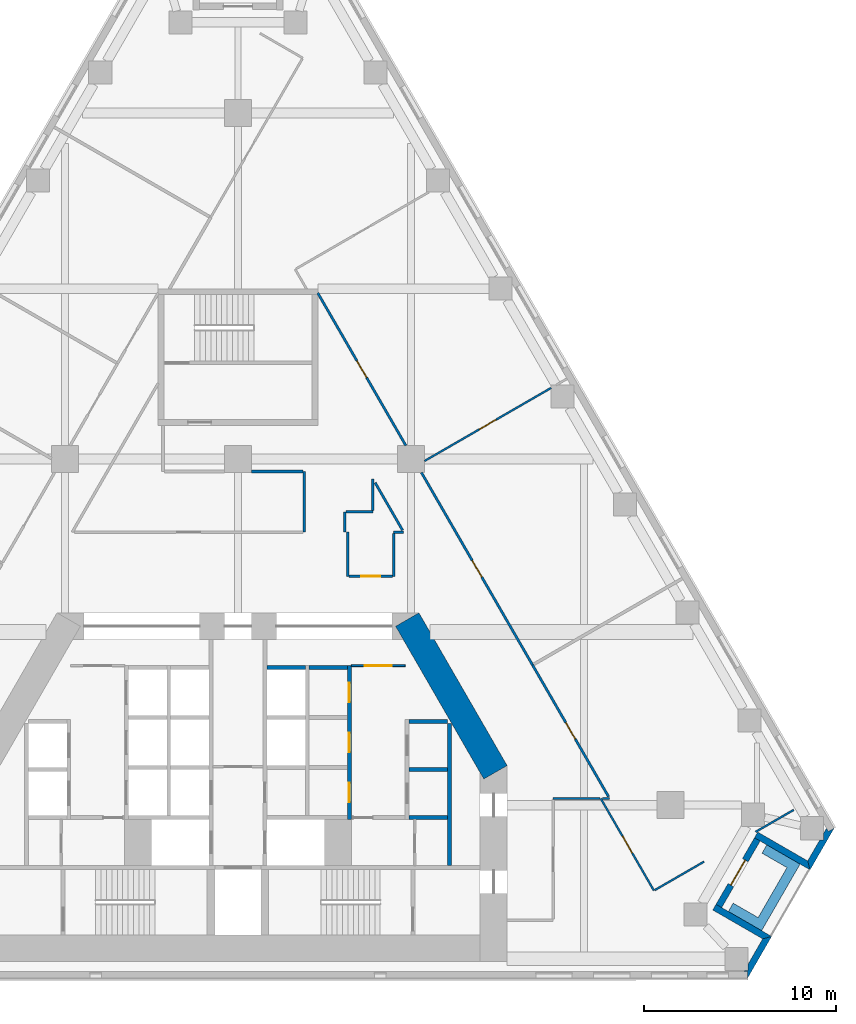
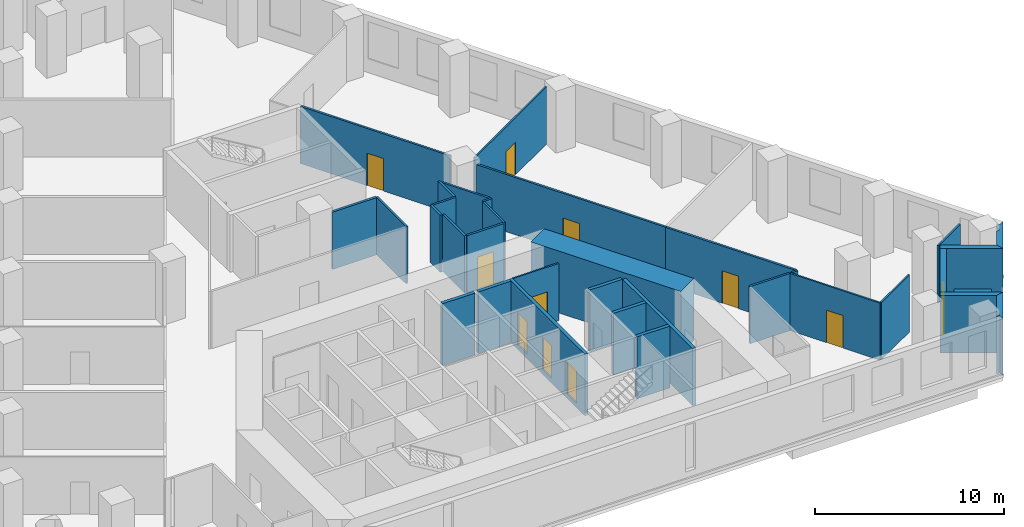
# One storey, part 6 of 9: 34 walls, 11 doors, 11 openings.
"""IFC4 building model written with IfcOpenShell, lengths in metres."""

from ifc_helpers import new_model, si_unit, direction, frame, frame_2d, origin, place, context, subcontext, project, spatial, polyline, rectangle, outline, extrude, material, layer, layer_set, type_object, element, fill, save


model = new_model("IFC4")

# Units and contexts
model_context = context("Model", 3, precision=1e-05, world=origin(), true_north=direction((0.0, 1.0)))
body_context = subcontext(model_context, "Body", "Model", "MODEL_VIEW")
ifc_project = project(units=[si_unit("LENGTHUNIT", "METRE"), si_unit("AREAUNIT", "SQUARE_METRE"), si_unit("VOLUMEUNIT", "CUBIC_METRE"), si_unit("PLANEANGLEUNIT", "RADIAN"), si_unit("MASSUNIT", "GRAM", prefix="KILO")], contexts=[model_context])

# Site, building, storey
site_placement = place(None, origin())
site = spatial("IfcSite", under=ifc_project, at=site_placement, CompositionType="ELEMENT")
building_placement = place(site_placement, origin())
building = spatial("IfcBuilding", under=site, at=building_placement, Name="Fogline Exchange Tower", CompositionType="ELEMENT")
storey_placement = place(building_placement, frame((0.0, 0.0, 84.89990234375)))
storey = spatial("IfcBuildingStorey", under=building, at=storey_placement, Name="L18", CompositionType="ELEMENT", Elevation=84.89990234375)

# Wall, opening, door
ifc_material_1 = material(Name="Blockwork partition", Category="masonry")
ifc_layer_1 = layer(ifc_material_1, 0.10009765625)
ifc_layer_set_1 = layer_set([ifc_layer_1], Name="CW10")
wall_type_1 = type_object("IfcWallType", Name="CW10", PredefinedType="PARTITIONING", material=ifc_layer_set_1)
wall_1_placement = place(storey_placement, frame((5.89990234375, 16.25, 0.0), z_axis=(0.0, 0.0, 1.0), x_axis=(1.0, 0.0, 0.0)))
wall_1 = element("IfcWall", 1, at=wall_1_placement, inside=storey, type_object=wall_type_1, Name="Lift lobby partition", PredefinedType="PARTITIONING", context=body_context, shape_type="SweptSolid", body=[
    extrude(rectangle(XDim=2.800048828125, YDim=0.10009765625, at=frame_2d((1.39990234375, 0.0))), origin(), (0.0, 0.0, 1.0), 3.7001953125),
])
opening_1_placement = place(wall_1_placement, frame((0.699951171875, 0.0, 0.0)))
opening_1 = element("IfcOpeningElement", 2, at=opening_1_placement, cuts=wall_1, Name="Opening T05-C013", PredefinedType="OPENING", context=body_context, shape_type="SweptSolid", body=[
    extrude(rectangle(XDim=1.39990234375, YDim=2.10009765625, at=frame_2d((0.699951171875, 1.050048828125))), frame((0.0, 0.06005859375, 0.0), z_axis=(0.0, -1.0, 0.0), x_axis=(1.0, 0.0, 0.0)), (0.0, 0.0, 1.0), 0.1201171875),
])
ifc_material_2 = material(Name="Steel and timber fire door", Category="steel")
door_type_1 = type_object("IfcDoorType", Name="D-LB1", OperationType="DOUBLE_DOOR_SINGLE_SWING", PredefinedType="DOOR", material=ifc_material_2)
door_1_placement = place(opening_1_placement, origin())
door_1 = element("IfcDoor", 3, at=door_1_placement, inside=storey, type_object=door_type_1, Name="Door to lift lobby", OperationType="DOUBLE_DOOR_SINGLE_SWING", OverallHeight=2.10009765625, OverallWidth=1.39990234375, PredefinedType="DOOR", context=body_context, shape_type="SweptSolid", body=[
    extrude(rectangle(XDim=1.39990234375, YDim=2.10009765625, at=frame_2d((0.699951171875, 1.050048828125))), frame((0.0, 0.02490234375, 0.0), z_axis=(0.0, -1.0, 0.0), x_axis=(1.0, 0.0, 0.0)), (0.0, 0.0, 1.0), 0.050048828125),
])
fill(opening_1, door_1)

# Wall
ifc_material_3 = material(Name="Concrete C40", Category="concrete")
ifc_layer_2 = layer(ifc_material_3, 0.199951171875)
ifc_layer_set_2 = layer_set([ifc_layer_2], Name="CW20")
wall_type_2 = type_object("IfcWallType", Name="CW20", PredefinedType="SOLIDWALL", material=ifc_layer_set_2)
wall_2_placement = place(storey_placement, frame((11.0, 5.85009765625, 0.0), z_axis=(0.0, 0.0, 1.0), x_axis=(0.0, 1.0, 0.0)))
element("IfcWall", 4, at=wall_2_placement, inside=storey, type_object=wall_type_2, Name="Service room wall", PredefinedType="SOLIDWALL", context=body_context, shape_type="SweptSolid", body=[
    extrude(rectangle(XDim=7.39990234375, YDim=0.199951171875, at=frame_2d((3.699951171875, 0.0))), origin(), (0.0, 0.0, 1.0), 3.7001953125),
])

# Wall, openings, doors
ifc_layer_3 = layer(ifc_material_3, 0.199951171875)
ifc_layer_set_3 = layer_set([ifc_layer_3], Name="CW20S")
wall_type_3 = type_object("IfcWallType", Name="CW20S", PredefinedType="SOLIDWALL", material=ifc_layer_set_3)
wall_3_placement = place(storey_placement, frame((5.800048828125, 8.25, -0.2998046875), z_axis=(0.0, 0.0, 1.0), x_axis=(0.0, 1.0, 0.0)))
wall_3 = element("IfcWall", 5, at=wall_3_placement, inside=storey, type_object=wall_type_3, Name="Lift shaft wall", PredefinedType="SOLIDWALL", context=body_context, shape_type="SweptSolid", body=[
    extrude(rectangle(XDim=8.0, YDim=0.199951171875, at=frame_2d((4.0, 0.0))), origin(), (0.0, 0.0, 1.0), 4.0),
])
opening_2_placement = place(wall_3_placement, frame((0.89990234375, 0.0, 0.300048828125)))
opening_2 = element("IfcOpeningElement", 6, at=opening_2_placement, cuts=wall_3, Name="Opening T05-C003", PredefinedType="OPENING", context=body_context, shape_type="SweptSolid", body=[
    extrude(rectangle(XDim=1.0, YDim=2.10009765625, at=frame_2d((0.5, 1.050048828125))), frame((0.0, 0.10986328125, 0.0), z_axis=(0.0, -1.0, 0.0), x_axis=(1.0, 0.0, 0.0)), (0.0, 0.0, 1.0), 0.219970703125),
])
opening_3_placement = place(wall_3_placement, frame((3.5, 0.0, 0.300048828125)))
opening_3 = element("IfcOpeningElement", 7, at=opening_3_placement, cuts=wall_3, Name="Opening T05-C004", PredefinedType="OPENING", context=body_context, shape_type="SweptSolid", body=[
    extrude(rectangle(XDim=1.0, YDim=2.10009765625, at=frame_2d((0.5, 1.050048828125))), frame((0.0, 0.10986328125, 0.0), z_axis=(0.0, -1.0, 0.0), x_axis=(1.0, 0.0, 0.0)), (0.0, 0.0, 1.0), 0.219970703125),
])
opening_4_placement = place(wall_3_placement, frame((6.10009765625, 0.0, 0.300048828125)))
opening_4 = element("IfcOpeningElement", 8, at=opening_4_placement, cuts=wall_3, Name="Opening T05-C005", PredefinedType="OPENING", context=body_context, shape_type="SweptSolid", body=[
    extrude(rectangle(XDim=1.0, YDim=2.10009765625, at=frame_2d((0.5, 1.050048828125))), frame((0.0, 0.10986328125, 0.0), z_axis=(0.0, -1.0, 0.0), x_axis=(1.0, 0.0, 0.0)), (0.0, 0.0, 1.0), 0.219970703125),
])
door_type_2 = type_object("IfcDoorType", Name="D-RM1", OperationType="SINGLE_SWING_LEFT", PredefinedType="DOOR", material=ifc_material_2)
door_2_placement = place(opening_2_placement, origin())
door_2 = element("IfcDoor", 9, at=door_2_placement, inside=storey, type_object=door_type_2, Name="Door to Library Store", OperationType="SINGLE_SWING_RIGHT", OverallHeight=2.10009765625, OverallWidth=1.0, PredefinedType="DOOR", context=body_context, shape_type="SweptSolid", body=[
    extrude(rectangle(XDim=1.0, YDim=2.10009765625, at=frame_2d((0.5, 1.050048828125))), frame((0.0, 0.02490234375, 0.0), z_axis=(0.0, -1.0, 0.0), x_axis=(1.0, 0.0, 0.0)), (0.0, 0.0, 1.0), 0.050048828125),
])
fill(opening_2, door_2)
door_3_placement = place(opening_3_placement, origin())
door_3 = element("IfcDoor", 10, at=door_3_placement, inside=storey, type_object=door_type_2, Name="Door to Stationery Store", OperationType="SINGLE_SWING_LEFT", OverallHeight=2.10009765625, OverallWidth=1.0, PredefinedType="DOOR", context=body_context, shape_type="SweptSolid", body=[
    extrude(rectangle(XDim=1.0, YDim=2.10009765625, at=frame_2d((0.5, 1.050048828125))), frame((0.0, 0.02490234375, 0.0), z_axis=(0.0, -1.0, 0.0), x_axis=(1.0, 0.0, 0.0)), (0.0, 0.0, 1.0), 0.050048828125),
])
fill(opening_3, door_3)
door_4_placement = place(opening_4_placement, origin())
door_4 = element("IfcDoor", 11, at=door_4_placement, inside=storey, type_object=door_type_2, Name="Door to Records Store", OperationType="SINGLE_SWING_LEFT", OverallHeight=2.10009765625, OverallWidth=1.0, PredefinedType="DOOR", context=body_context, shape_type="SweptSolid", body=[
    extrude(rectangle(XDim=1.0, YDim=2.10009765625, at=frame_2d((0.5, 1.050048828125))), frame((0.0, 0.02490234375, 0.0), z_axis=(0.0, -1.0, 0.0), x_axis=(1.0, 0.0, 0.0)), (0.0, 0.0, 1.0), 0.050048828125),
])
fill(opening_4, door_4)

# Walls
for number, where, z_axis, x_axis, name in (
    (12, (8.89990234375, 8.35009765625, -0.2998046875), (0.0, 0.0, 1.0), (1.0, 0.0, 0.0), "Lift shaft wall"),
    (13, (8.89990234375, 10.85009765625, -0.2998046875), (0.0, 0.0, 1.0), (1.0, 0.0, 0.0), "Lift shaft wall"),
    (14, (8.89990234375, 13.35009765625, -0.2998046875), (0.0, 0.0, 1.0), (1.0, 0.0, 0.0), "Lift shaft wall"),
    (15, (3.699951171875, 16.14990234375, -0.2998046875), (0.0, 0.0, 1.0), (1.0, 0.0, 0.0), "Lift shaft wall"),
    (16, (1.5, 16.14990234375, -0.2998046875), (0.0, 0.0, 1.0), (1.0, 0.0, 0.0), "Lift shaft wall"),
):
    element("IfcWall", number, at=place(storey_placement, frame(where, z_axis=z_axis, x_axis=x_axis)), inside=storey, type_object=wall_type_3, Name=name, PredefinedType="SOLIDWALL", context=body_context, shape_type="SweptSolid", body=[
        extrude(rectangle(XDim=2.0, YDim=0.199951171875, at=frame_2d((1.0, 0.0))), origin(), (0.0, 0.0, 1.0), 4.0),
    ])
ifc_material_4 = material(Name="Brick masonry", Category="masonry")
ifc_layer_4 = layer(ifc_material_4, 0.340087890625)
ifc_layer_set_4 = layer_set([ifc_layer_4], Name="FW1")
wall_type_4 = type_object("IfcWallType", Name="FW1", PredefinedType="SOLIDWALL", material=ifc_layer_set_4)
wall_4_placement = place(storey_placement, origin())
element("IfcWall", 17, at=wall_4_placement, inside=storey, type_object=wall_type_4, Name="Brick wall L18 SE-c1", PredefinedType="SOLIDWALL", context=body_context, shape_type="SweptSolid", body=[
    extrude(outline(polyline([(27.761474609375, 2.165771484375), (26.510498046875, -0.001220703125), (26.509765625, -0.0009765625), (26.509765625, 0.33935546875), (26.31298828125, 0.33935546875), (26.34814453125, 0.39990234375), (26.533203125, 0.39990234375), (26.533203125, 0.720458984375), (27.295654296875, 2.041015625), (27.76123046875, 2.166015625), (27.761474609375, 2.165771484375)])), origin(), (0.0, 0.0, 1.0), 3.7001953125),
])
wall_5_placement = place(storey_placement, origin())
element("IfcWall", 18, at=wall_5_placement, inside=storey, type_object=wall_type_4, Name="Brick wall L18 SE-s1", PredefinedType="SOLIDWALL", context=body_context, shape_type="SweptSolid", body=[
    extrude(outline(polyline([(24.697021484375, 3.540283203125), (24.86767578125, 3.8359375), (25.16259765625, 3.66552734375), (27.76171875, 2.1650390625), (27.76171875, 2.164794921875), (27.2958984375, 2.0400390625), (24.697021484375, 3.540283203125)])), origin(), (0.0, 0.0, 1.0), 3.7001953125),
])

# Wall, opening, door
wall_6_placement = place(storey_placement, frame((25.01513671875, 3.75, 0.0), z_axis=(0.0, 0.0, 1.0), x_axis=(0.49999894854, 0.866026010844, 0.0)))
wall_6 = element("IfcWall", 19, at=wall_6_placement, inside=storey, type_object=wall_type_4, Name="Brick wall L18 SE-bk", PredefinedType="SOLIDWALL", context=body_context, shape_type="SweptSolid", body=[
    extrude(rectangle(XDim=4.0, YDim=0.340087890625, at=frame_2d((2.0, 0.0))), origin(), (0.0, 0.0, 1.0), 3.7001953125),
])
opening_5_placement = place(wall_6_placement, frame((1.25, 0.0, 0.0)))
opening_5 = element("IfcOpeningElement", 20, at=opening_5_placement, cuts=wall_6, Name="Opening T05-E081", PredefinedType="OPENING", context=body_context, shape_type="SweptSolid", body=[
    extrude(rectangle(XDim=1.5, YDim=2.39990234375, at=frame_2d((0.75, 1.199951171875))), frame((0.0, 0.18017578125, 0.0), z_axis=(0.0, -1.0, 0.0), x_axis=(1.0, 0.0, 0.0)), (0.0, 0.0, 1.0), 0.360107421875),
])
ifc_material_5 = material(Name="Aluminium and glass", Category="aluminium")
door_type_3 = type_object("IfcDoorType", Name="ED4", OperationType="SINGLE_SWING_LEFT", PredefinedType="DOOR", material=ifc_material_5)
door_5_placement = place(opening_5_placement, frame((1.5, 0.0, 0.0), z_axis=(0.0, 0.0, 1.0), x_axis=(-1.0, 0.0, 0.0)))
door_5 = element("IfcDoor", 21, at=door_5_placement, inside=storey, type_object=door_type_3, Name="Balcony door L18 SE", OperationType="DOUBLE_DOOR_SINGLE_SWING", OverallHeight=2.39990234375, OverallWidth=1.5, PredefinedType="DOOR", context=body_context, shape_type="SweptSolid", body=[
    extrude(rectangle(XDim=1.5, YDim=2.39990234375, at=frame_2d((0.75, 1.199951171875))), frame((0.0, 0.02490234375, 0.0), z_axis=(0.0, -1.0, 0.0), x_axis=(1.0, 0.0, 0.0)), (0.0, 0.0, 1.0), 0.050048828125),
])
fill(opening_5, door_5)

# Walls
wall_7_placement = place(storey_placement, origin())
element("IfcWall", 22, at=wall_7_placement, inside=storey, type_object=wall_type_4, Name="Brick wall L18 SE-s2", PredefinedType="SOLIDWALL", context=body_context, shape_type="SweptSolid", body=[
    extrude(outline(polyline([(29.760986328125, 5.628173828125), (27.162109375, 7.128662109375), (26.8671875, 7.298828125), (27.03759765625, 7.594482421875), (29.636474609375, 6.093994140625), (29.76123046875, 5.62841796875), (29.760986328125, 5.628173828125)])), origin(), (0.0, 0.0, 1.0), 3.7001953125),
])
wall_8_placement = place(storey_placement, origin())
element("IfcWall", 23, at=wall_8_placement, inside=storey, type_object=wall_type_4, Name="Brick wall L18 SE-c2", PredefinedType="SOLIDWALL", context=body_context, shape_type="SweptSolid", body=[
    extrude(outline(polyline([(30.270751953125, 7.194091796875), (30.455810546875, 7.194091796875), (30.455810546875, 7.5146484375), (30.617919921875, 7.79541015625), (30.71630859375, 7.625), (31.010986328125, 7.79541015625), (31.011474609375, 7.794921875), (29.760498046875, 5.6279296875), (29.760009765625, 5.6279296875), (29.63525390625, 6.09375), (30.270751953125, 7.194091796875)])), origin(), (0.0, 0.0, 1.0), 3.7001953125),
])
ifc_material_6 = material(Name="Concrete C30", Category="concrete")
ifc_layer_5 = layer(ifc_material_6, 0.199951171875)
ifc_layer_set_5 = layer_set([ifc_layer_5], Name="PL1")
wall_type_5 = type_object("IfcWallType", Name="PL1", PredefinedType="USERDEFINED", material=ifc_layer_set_5)
wall_9_placement = place(storey_placement, origin())
element("IfcWall", 24, at=wall_9_placement, inside=storey, type_object=wall_type_5, Name="PLANTER balcony L18 SE", ObjectType="PLANTER", PredefinedType="USERDEFINED", context=body_context, shape_type="SweptSolid", body=[
    extrude(outline(polyline([(25.5087890625, 3.465087890625), (26.807861328125, 2.715087890625), (26.807861328125, 2.715087890625), (27.24072265625, 2.465087890625), (28.99072265625, 5.49609375), (29.24072265625, 5.92919921875), (27.5087890625, 6.92919921875), (27.2587890625, 6.49609375), (28.557861328125, 5.74609375), (27.057861328125, 3.148193359375), (25.7587890625, 3.898193359375), (25.5087890625, 3.465087890625)])), origin(), (0.0, 0.0, 1.0), 1.10009765625),
])

# Wall, opening, door
ifc_material_7 = material(Name="Plasterboard partition, 2 layers each side on steel studs", Category="steel")
ifc_layer_6 = layer(ifc_material_7, 0.10009765625)
ifc_layer_set_6 = layer_set([ifc_layer_6], Name="PW1")
wall_type_6 = type_object("IfcWallType", Name="PW1", PredefinedType="PARTITIONING", material=ifc_layer_set_6)
wall_10_placement = place(storey_placement, frame((9.699951171875, 26.895751953125, 0.0), z_axis=(0.0, 0.0, 1.0), x_axis=(0.866021009999, 0.500007610182, 0.0)))
wall_10 = element("IfcWall", 25, at=wall_10_placement, inside=storey, type_object=wall_type_6, Name="wall-L18-W032", PredefinedType="PARTITIONING", context=body_context, shape_type="SweptSolid", body=[
    extrude(rectangle(XDim=7.60888671875, YDim=0.10009765625, at=frame_2d((3.804443359375, 0.0))), origin(), (0.0, 0.0, 1.0), 3.7001953125),
])
opening_6_placement = place(wall_10_placement, frame((3.30419921875, 0.0, 0.0)))
opening_6 = element("IfcOpeningElement", 26, at=opening_6_placement, cuts=wall_10, Name="Opening T05-D014", PredefinedType="OPENING", context=body_context, shape_type="SweptSolid", body=[
    extrude(rectangle(XDim=1.0, YDim=2.10009765625, at=frame_2d((0.5, 1.050048828125))), frame((0.0, 0.06005859375, 0.0), z_axis=(0.0, -1.0, 0.0), x_axis=(1.0, 0.0, 0.0)), (0.0, 0.0, 1.0), 0.1201171875),
])
ifc_material_8 = material(Name="Timber door leaf with steel frame", Category="steel")
door_type_4 = type_object("IfcDoorType", Name="D1", OperationType="SINGLE_SWING_LEFT", PredefinedType="DOOR", material=ifc_material_8)
door_6_placement = place(opening_6_placement, frame((1.0, 0.0, 0.0), z_axis=(0.0, 0.0, 1.0), x_axis=(-1.0, 0.0, 0.0)))
door_6 = element("IfcDoor", 27, at=door_6_placement, inside=storey, type_object=door_type_4, Name="door-L18-D014", OperationType="SINGLE_SWING_RIGHT", OverallHeight=2.10009765625, OverallWidth=1.0, PredefinedType="DOOR", context=body_context, shape_type="SweptSolid", body=[
    extrude(rectangle(XDim=1.0, YDim=2.10009765625, at=frame_2d((0.5, 1.050048828125))), frame((0.0, 0.02490234375, 0.0), z_axis=(0.0, -1.0, 0.0), x_axis=(1.0, 0.0, 0.0)), (0.0, 0.0, 1.0), 0.050048828125),
])
fill(opening_6, door_6)

wall_11_placement = place(storey_placement, frame((18.87109375, 9.340087890625, 0.0), z_axis=(0.0, 0.0, 1.0), x_axis=(0.499998843543, -0.866026071464, 0.0)))
wall_11 = element("IfcWall", 28, at=wall_11_placement, inside=storey, type_object=wall_type_6, Name="wall-L18-W050", PredefinedType="PARTITIONING", context=body_context, shape_type="SweptSolid", body=[
    extrude(rectangle(XDim=5.53076171875, YDim=0.10009765625, at=frame_2d((2.765380859375, 0.0))), origin(), (0.0, 0.0, 1.0), 3.7001953125),
])
opening_7_placement = place(wall_11_placement, frame((2.265380859375, 0.0, 0.0)))
opening_7 = element("IfcOpeningElement", 29, at=opening_7_placement, cuts=wall_11, Name="Opening T05-D019", PredefinedType="OPENING", context=body_context, shape_type="SweptSolid", body=[
    extrude(rectangle(XDim=1.0, YDim=2.10009765625, at=frame_2d((0.5, 1.050048828125))), frame((0.0, 0.06005859375, 0.0), z_axis=(0.0, -1.0, 0.0), x_axis=(1.0, 0.0, 0.0)), (0.0, 0.0, 1.0), 0.1201171875),
])
door_7_placement = place(opening_7_placement, frame((1.0, 0.0, 0.0), z_axis=(0.0, 0.0, 1.0), x_axis=(-1.0, 0.0, 0.0)))
door_7 = element("IfcDoor", 30, at=door_7_placement, inside=storey, type_object=door_type_4, Name="door-L18-D019", OperationType="SINGLE_SWING_RIGHT", OverallHeight=2.10009765625, OverallWidth=1.0, PredefinedType="DOOR", context=body_context, shape_type="SweptSolid", body=[
    extrude(rectangle(XDim=1.0, YDim=2.10009765625, at=frame_2d((0.5, 1.050048828125))), frame((0.0, 0.02490234375, 0.0), z_axis=(0.0, -1.0, 0.0), x_axis=(1.0, 0.0, 0.0)), (0.0, 0.0, 1.0), 0.050048828125),
])
fill(opening_7, door_7)

# Walls
wall_12_placement = place(storey_placement, frame((21.6796875, 4.5751953125, 0.0), z_axis=(0.0, 0.0, 1.0), x_axis=(0.866018146021, 0.500012570604, 0.0)))
element("IfcWall", 31, at=wall_12_placement, inside=storey, type_object=wall_type_6, Name="wall-L18-W051", PredefinedType="PARTITIONING", context=body_context, shape_type="SweptSolid", body=[
    extrude(rectangle(XDim=2.96240234375, YDim=0.10009765625, at=frame_2d((1.481201171875, 0.0))), origin(), (0.0, 0.0, 1.0), 3.7001953125),
])
wall_13_placement = place(storey_placement, frame((26.92578125, 7.604248046875, 0.0), z_axis=(0.0, 0.0, 1.0), x_axis=(0.866072087953, 0.499919131929, 0.0)))
element("IfcWall", 32, at=wall_13_placement, inside=storey, type_object=wall_type_6, Name="wall-L18-W052", PredefinedType="PARTITIONING", context=body_context, shape_type="SweptSolid", body=[
    extrude(rectangle(XDim=2.29248046875, YDim=0.10009765625, at=frame_2d((1.146240234375, 0.0))), origin(), (0.0, 0.0, 1.0), 3.7001953125),
])
ifc_material_9 = material(Name="Plasterboard corridor partition with mineral wool, 2 layers each side")
ifc_layer_7 = layer(ifc_material_9, 0.125)
ifc_layer_set_7 = layer_set([ifc_layer_7], Name="PW2")
wall_type_7 = type_object("IfcWallType", Name="PW2", PredefinedType="PARTITIONING", material=ifc_layer_set_7)
wall_14_placement = place(storey_placement, frame((5.699951171875, 23.199951171875, 0.0), z_axis=(0.0, 0.0, 1.0), x_axis=(0.0, -1.0, 0.0)))
element("IfcWall", 33, at=wall_14_placement, inside=storey, type_object=wall_type_7, Name="wall-L18-W003", PredefinedType="PARTITIONING", context=body_context, shape_type="SweptSolid", body=[
    extrude(rectangle(XDim=2.300048828125, YDim=0.125, at=frame_2d((1.14990234375, 0.0))), origin(), (0.0, 0.0, 1.0), 3.7001953125),
])

# Wall, opening, door
wall_15_placement = place(storey_placement, frame((5.762451171875, 20.89990234375, 0.0), z_axis=(0.0, 0.0, 1.0), x_axis=(1.0, 0.0, 0.0)))
wall_15 = element("IfcWall", 34, at=wall_15_placement, inside=storey, type_object=wall_type_7, Name="wall-L18-W004", PredefinedType="PARTITIONING", context=body_context, shape_type="SweptSolid", body=[
    extrude(rectangle(XDim=2.275146484375, YDim=0.125, at=frame_2d((1.1376953125, 0.0))), origin(), (0.0, 0.0, 1.0), 3.7001953125),
])
opening_8_placement = place(wall_15_placement, frame((0.637451171875, 0.0, 0.0)))
opening_8 = element("IfcOpeningElement", 35, at=opening_8_placement, cuts=wall_15, Name="Opening T05-D002", PredefinedType="OPENING", context=body_context, shape_type="SweptSolid", body=[
    extrude(rectangle(XDim=1.0, YDim=2.10009765625, at=frame_2d((0.5, 1.050048828125))), frame((0.0, 0.072509765625, 0.0), z_axis=(0.0, -1.0, 0.0), x_axis=(1.0, 0.0, 0.0)), (0.0, 0.0, 1.0), 0.14501953125),
])
ifc_material_10 = material(Name="Fire-rated timber door leaf with steel frame", Category="steel")
door_type_5 = type_object("IfcDoorType", Name="D3", OperationType="SINGLE_SWING_LEFT", PredefinedType="DOOR", material=ifc_material_10)
door_8_placement = place(opening_8_placement, origin())
door_8 = element("IfcDoor", 36, at=door_8_placement, inside=storey, type_object=door_type_5, Name="door-L18-D002", OperationType="SINGLE_SWING_LEFT", OverallHeight=2.10009765625, OverallWidth=1.0, PredefinedType="DOOR", context=body_context, shape_type="SweptSolid", body=[
    extrude(rectangle(XDim=1.0, YDim=2.10009765625, at=frame_2d((0.5, 1.050048828125))), frame((0.0, 0.02490234375, 0.0), z_axis=(0.0, -1.0, 0.0), x_axis=(1.0, 0.0, 0.0)), (0.0, 0.0, 1.0), 0.050048828125),
])
fill(opening_8, door_8)

# Walls
wall_16_placement = place(storey_placement, frame((8.10009765625, 20.89990234375, 0.0), z_axis=(0.0, 0.0, 1.0), x_axis=(0.0, 1.0, 0.0)))
element("IfcWall", 37, at=wall_16_placement, inside=storey, type_object=wall_type_7, Name="wall-L18-W005", PredefinedType="PARTITIONING", context=body_context, shape_type="SweptSolid", body=[
    extrude(rectangle(XDim=2.237548828125, YDim=0.125, at=frame_2d((1.11865234375, 0.0))), origin(), (0.0, 0.0, 1.0), 3.7001953125),
])
wall_17_placement = place(storey_placement, frame((8.10009765625, 23.199951171875, 0.0), z_axis=(0.0, 0.0, 1.0), x_axis=(1.0, 0.0, 0.0)))
element("IfcWall", 38, at=wall_17_placement, inside=storey, type_object=wall_type_7, Name="wall-L18-W006", PredefinedType="PARTITIONING", context=body_context, shape_type="SweptSolid", body=[
    extrude(rectangle(XDim=0.517333984375, YDim=0.125, at=frame_2d((0.2587890625, 0.0))), origin(), (0.0, 0.0, 1.0), 3.7001953125),
])

# Wall, opening, door
wall_18_placement = place(storey_placement, frame((9.541259765625, 26.300048828125, 0.0), z_axis=(0.0, 0.0, 1.0), x_axis=(0.500003905814, -0.86602314875, 0.0)))
wall_18 = element("IfcWall", 39, at=wall_18_placement, inside=storey, type_object=wall_type_7, Name="wall-L18-W022", PredefinedType="PARTITIONING", context=body_context, shape_type="SweptSolid", body=[
    extrude(rectangle(XDim=11.5634765625, YDim=0.125, at=frame_2d((5.78173828125, 0.0))), origin(), (0.0, 0.0, 1.0), 3.7001953125),
])
opening_9_placement = place(wall_18_placement, frame((5.28173828125, 0.0, 0.0)))
opening_9 = element("IfcOpeningElement", 40, at=opening_9_placement, cuts=wall_18, Name="Opening T05-D011", PredefinedType="OPENING", context=body_context, shape_type="SweptSolid", body=[
    extrude(rectangle(XDim=1.0, YDim=2.10009765625, at=frame_2d((0.5, 1.050048828125))), frame((0.0, 0.072509765625, 0.0), z_axis=(0.0, -1.0, 0.0), x_axis=(1.0, 0.0, 0.0)), (0.0, 0.0, 1.0), 0.14501953125),
])
door_9_placement = place(opening_9_placement, origin())
door_9 = element("IfcDoor", 41, at=door_9_placement, inside=storey, type_object=door_type_5, Name="door-L18-D011", OperationType="SINGLE_SWING_LEFT", OverallHeight=2.10009765625, OverallWidth=1.0, PredefinedType="DOOR", context=body_context, shape_type="SweptSolid", body=[
    extrude(rectangle(XDim=1.0, YDim=2.10009765625, at=frame_2d((0.5, 1.050048828125))), frame((0.0, 0.02490234375, 0.0), z_axis=(0.0, -1.0, 0.0), x_axis=(1.0, 0.0, 0.0)), (0.0, 0.0, 1.0), 0.050048828125),
])
fill(opening_9, door_9)

# Wall
wall_19_placement = place(storey_placement, frame((8.56298828125, 23.294189453125, 0.0), z_axis=(0.0, 0.0, 1.0), x_axis=(-0.499981393032, 0.866036146256, 0.0)))
element("IfcWall", 42, at=wall_19_placement, inside=storey, type_object=wall_type_7, Name="wall-L18-W023", PredefinedType="PARTITIONING", context=body_context, shape_type="SweptSolid", body=[
    extrude(rectangle(XDim=2.8564453125, YDim=0.125, at=frame_2d((1.42822265625, 0.0))), origin(), (0.0, 0.0, 1.0), 3.7001953125),
])

# Wall, opening, door
wall_20_placement = place(storey_placement, frame((4.14990234375, 35.637939453125, 0.0), z_axis=(0.0, 0.0, 1.0), x_axis=(0.50000066617, -0.86602501917, 0.0)))
wall_20 = element("IfcWall", 43, at=wall_20_placement, inside=storey, type_object=wall_type_7, Name="wall-L18-W024", PredefinedType="PARTITIONING", context=body_context, shape_type="SweptSolid", body=[
    extrude(rectangle(XDim=9.166015625, YDim=0.125, at=frame_2d((4.5830078125, 0.0))), origin(), (0.0, 0.0, 1.0), 3.7001953125),
])
opening_10_placement = place(wall_20_placement, frame((4.0830078125, 0.0, 0.0)))
opening_10 = element("IfcOpeningElement", 44, at=opening_10_placement, cuts=wall_20, Name="Opening T05-D012", PredefinedType="OPENING", context=body_context, shape_type="SweptSolid", body=[
    extrude(rectangle(XDim=1.0, YDim=2.10009765625, at=frame_2d((0.5, 1.050048828125))), frame((0.0, 0.072509765625, 0.0), z_axis=(0.0, -1.0, 0.0), x_axis=(1.0, 0.0, 0.0)), (0.0, 0.0, 1.0), 0.14501953125),
])
door_10_placement = place(opening_10_placement, origin())
door_10 = element("IfcDoor", 45, at=door_10_placement, inside=storey, type_object=door_type_5, Name="door-L18-D012", OperationType="SINGLE_SWING_LEFT", OverallHeight=2.10009765625, OverallWidth=1.0, PredefinedType="DOOR", context=body_context, shape_type="SweptSolid", body=[
    extrude(rectangle(XDim=1.0, YDim=2.10009765625, at=frame_2d((0.5, 1.050048828125))), frame((0.0, 0.02490234375, 0.0), z_axis=(0.0, -1.0, 0.0), x_axis=(1.0, 0.0, 0.0)), (0.0, 0.0, 1.0), 0.050048828125),
])
fill(opening_10, door_10)

# Wall
wall_21_placement = place(storey_placement, frame((18.827392578125, 9.340087890625, 0.0), z_axis=(0.0, 0.0, 1.0), x_axis=(-1.0, 0.0, 0.0)))
element("IfcWall", 46, at=wall_21_placement, inside=storey, type_object=wall_type_7, Name="wall-L18-W025", PredefinedType="PARTITIONING", context=body_context, shape_type="SweptSolid", body=[
    extrude(rectangle(XDim=2.427490234375, YDim=0.125, at=frame_2d((1.2138671875, 0.0))), origin(), (0.0, 0.0, 1.0), 3.7001953125),
])

# Wall, opening, door
wall_22_placement = place(storey_placement, frame((15.322998046875, 16.285888671875, 0.0), z_axis=(0.0, 0.0, 1.0), x_axis=(0.499992239852, -0.866029884062, 0.0)))
wall_22 = element("IfcWall", 47, at=wall_22_placement, inside=storey, type_object=wall_type_7, Name="wall-L18-W026", PredefinedType="PARTITIONING", context=body_context, shape_type="SweptSolid", body=[
    extrude(rectangle(XDim=7.911865234375, YDim=0.125, at=frame_2d((3.9560546875, 0.0))), origin(), (0.0, 0.0, 1.0), 3.7001953125),
])
opening_11_placement = place(wall_22_placement, frame((3.455810546875, 0.0, 0.0)))
opening_11 = element("IfcOpeningElement", 48, at=opening_11_placement, cuts=wall_22, Name="Opening T05-D013", PredefinedType="OPENING", context=body_context, shape_type="SweptSolid", body=[
    extrude(rectangle(XDim=1.0, YDim=2.10009765625, at=frame_2d((0.5, 1.050048828125))), frame((0.0, 0.072509765625, 0.0), z_axis=(0.0, -1.0, 0.0), x_axis=(1.0, 0.0, 0.0)), (0.0, 0.0, 1.0), 0.14501953125),
])
door_11_placement = place(opening_11_placement, origin())
door_11 = element("IfcDoor", 49, at=door_11_placement, inside=storey, type_object=door_type_5, Name="door-L18-D013", OperationType="SINGLE_SWING_LEFT", OverallHeight=2.10009765625, OverallWidth=1.0, PredefinedType="DOOR", context=body_context, shape_type="SweptSolid", body=[
    extrude(rectangle(XDim=1.0, YDim=2.10009765625, at=frame_2d((0.5, 1.050048828125))), frame((0.0, 0.02490234375, 0.0), z_axis=(0.0, -1.0, 0.0), x_axis=(1.0, 0.0, 0.0)), (0.0, 0.0, 1.0), 0.050048828125),
])
fill(opening_11, door_11)

# Walls
wall_23_placement = place(storey_placement, frame((19.3330078125, 9.340087890625, 0.0), z_axis=(0.0, 0.0, 1.0), x_axis=(-1.0, 0.0, 0.0)))
element("IfcWall", 50, at=wall_23_placement, inside=storey, type_object=wall_type_7, Name="wall-L18-W027", PredefinedType="PARTITIONING", context=body_context, shape_type="SweptSolid", body=[
    extrude(rectangle(XDim=0.367431640625, YDim=0.125, at=frame_2d((0.18359375, 0.0))), origin(), (0.0, 0.0, 1.0), 3.7001953125),
])
wall_24_placement = place(storey_placement, frame((5.550048828125, 24.257080078125, 0.0), z_axis=(0.0, 0.0, 1.0), x_axis=(0.0, -1.0, 0.0)))
element("IfcWall", 51, at=wall_24_placement, inside=storey, type_object=wall_type_7, Name="wall-L18-W028", PredefinedType="PARTITIONING", context=body_context, shape_type="SweptSolid", body=[
    extrude(rectangle(XDim=1.05712890625, YDim=0.125, at=frame_2d((0.528564453125, 0.0))), origin(), (0.0, 0.0, 1.0), 3.7001953125),
])
wall_25_placement = place(storey_placement, frame((3.449951171875, 23.199951171875, 0.0), z_axis=(0.0, 0.0, 1.0), x_axis=(0.0, 1.0, 0.0)))
element("IfcWall", 52, at=wall_25_placement, inside=storey, type_object=wall_type_7, Name="wall-L18-W029", PredefinedType="PARTITIONING", context=body_context, shape_type="SweptSolid", body=[
    extrude(rectangle(XDim=3.156982421875, YDim=0.125, at=frame_2d((1.57861328125, 0.0))), origin(), (0.0, 0.0, 1.0), 3.7001953125),
])
wall_26_placement = place(storey_placement, frame((7.01806640625, 24.257080078125, 0.0), z_axis=(0.0, 0.0, 1.0), x_axis=(-1.0, 0.0, 0.0)))
element("IfcWall", 53, at=wall_26_placement, inside=storey, type_object=wall_type_7, Name="wall-L18-W030", PredefinedType="PARTITIONING", context=body_context, shape_type="SweptSolid", body=[
    extrude(rectangle(XDim=1.405517578125, YDim=0.125, at=frame_2d((0.70263671875, 0.0))), origin(), (0.0, 0.0, 1.0), 3.7001953125),
])
wall_27_placement = place(storey_placement, frame((7.01806640625, 25.970458984375, 0.0), z_axis=(0.0, 0.0, 1.0), x_axis=(0.0, -1.0, 0.0)))
element("IfcWall", 54, at=wall_27_placement, inside=storey, type_object=wall_type_7, Name="wall-L18-W031", PredefinedType="PARTITIONING", context=body_context, shape_type="SweptSolid", body=[
    extrude(rectangle(XDim=1.65087890625, YDim=0.125, at=frame_2d((0.825439453125, 0.0))), origin(), (0.0, 0.0, 1.0), 3.7001953125),
])
ifc_material_11 = material(Name="Plasterboard stair lobby partition, 3 layers each side on steel studs", Category="steel")
ifc_layer_8 = layer(ifc_material_11, 0.14990234375)
ifc_layer_set_8 = layer_set([ifc_layer_8], Name="PW4")
wall_type_8 = type_object("IfcWallType", Name="PW4", PredefinedType="PARTITIONING", material=ifc_layer_set_8)
wall_28_placement = place(storey_placement, frame((3.387451171875, 26.35693359375, 0.0), z_axis=(0.0, 0.0, 1.0), x_axis=(-1.0, 0.0, 0.0)))
element("IfcWall", 55, at=wall_28_placement, inside=storey, type_object=wall_type_8, Name="wall-L18-W019", PredefinedType="PARTITIONING", context=body_context, shape_type="SweptSolid", body=[
    extrude(rectangle(XDim=2.6875, YDim=0.14990234375, at=frame_2d((1.34375, 0.0))), origin(), (0.0, 0.0, 1.0), 3.7001953125),
])
ifc_material_12 = material(Name="Concrete C60", Category="concrete")
ifc_layer_9 = layer(ifc_material_12, 1.39990234375)
ifc_layer_set_9 = layer_set([ifc_layer_9], Name="SW01")
wall_type_9 = type_object("IfcWallType", Name="SW01", PredefinedType="SHEAR", material=ifc_layer_set_9)
wall_29_placement = place(storey_placement, frame((13.393798828125, 10.70263671875, 0.0), z_axis=(0.0, 0.0, 1.0), x_axis=(-0.50000187635, 0.866024320471, 0.0)))
element("IfcWall", 56, at=wall_29_placement, inside=storey, type_object=wall_type_9, Name="L18-W903", PredefinedType="SHEAR", context=body_context, shape_type="SweptSolid", body=[
    extrude(rectangle(XDim=9.1767578125, YDim=1.39990234375, at=frame_2d((4.58837890625, 0.0))), origin(), (0.0, 0.0, 1.0), 4.0),
])

save(model, "model.ifc")
